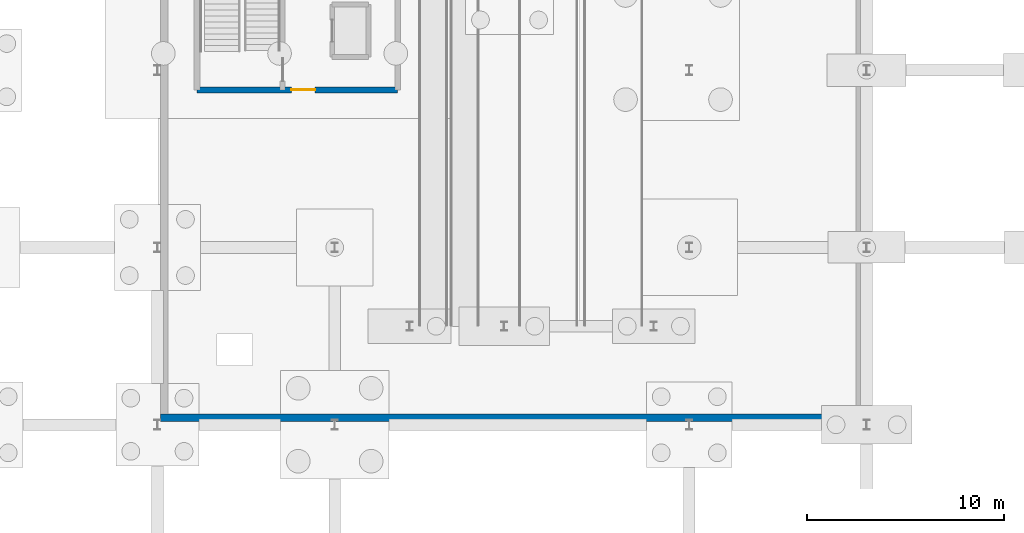
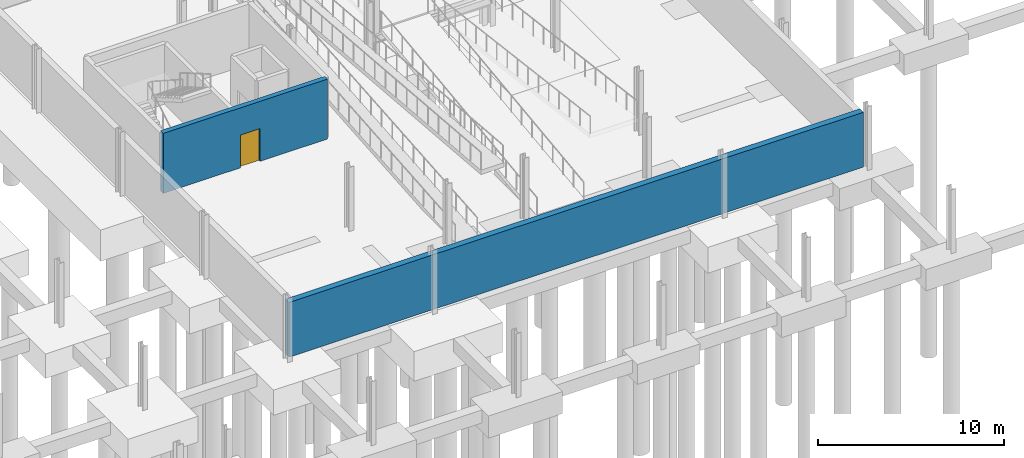
# One storey, part 33 of 42: 2 walls, 1 door, 1 opening.
"""IFC4 building model written with IfcOpenShell, lengths in metres."""

from ifc_helpers import new_model, si_unit, direction, frame, frame_2d, origin, place, context, subcontext, project, spatial, rectangle, extrude, material, layer, layer_set, type_object, element, fill, save


model = new_model("IFC4")

# Units and contexts
model_context = context("Model", 3, precision=1e-05, world=origin(), true_north=direction((0.0, 1.0)))
body_context = subcontext(model_context, "Body", "Model", "MODEL_VIEW")
ifc_project = project(units=[si_unit("LENGTHUNIT", "METRE"), si_unit("AREAUNIT", "SQUARE_METRE"), si_unit("VOLUMEUNIT", "CUBIC_METRE"), si_unit("PLANEANGLEUNIT", "RADIAN"), si_unit("MASSUNIT", "GRAM", prefix="KILO")], contexts=[model_context])

# Site, building, storey
site_placement = place(None, origin())
site = spatial("IfcSite", under=ifc_project, at=site_placement, CompositionType="ELEMENT")
building_placement = place(site_placement, origin())
building = spatial("IfcBuilding", under=site, at=building_placement, Name="Deido Ridge Mobility Hub", CompositionType="ELEMENT")
storey_placement = place(building_placement, frame((0.0, 0.0, -4.199951171875)))
storey = spatial("IfcBuildingStorey", under=building, at=storey_placement, Name="B1", CompositionType="ELEMENT", Elevation=-4.199951171875)

# Wall
ifc_material_1 = material(Name="Concrete C40/50", Category="concrete")
ifc_layer_1 = layer(ifc_material_1, 0.3798828125, Name="Concrete C40/50")
ifc_layer_set_1 = layer_set([ifc_layer_1], Name="Concrete C40/50")
wall_type_1 = type_object("IfcWallType", Name="WL-RET-RC-380", PredefinedType="USERDEFINED", material=ifc_layer_set_1)
wall_1_placement = place(storey_placement, frame((72.159912109375, 45.35009765625, 0.0), z_axis=(0.0, 0.0, 1.0), x_axis=(1.0, 0.0, 0.0)))
element("IfcWall", 1, at=wall_1_placement, inside=storey, type_object=wall_type_1, Name="Basement perimeter retaining wall", ObjectType="RETAINING WALL", PredefinedType="USERDEFINED", context=body_context, shape_type="SweptSolid", body=[
    extrude(rectangle(XDim=35.68017578125, YDim=0.3798828125, at=frame_2d((17.840087890625, 0.0))), origin(), (0.0, 0.0, 1.0), 3.599853515625),
])

# Wall, opening, door
ifc_layer_2 = layer(ifc_material_1, 0.300048828125, Name="Concrete C40/50")
ifc_layer_set_2 = layer_set([ifc_layer_2], Name="Concrete C40/50")
wall_type_2 = type_object("IfcWallType", Name="WL-SHR-RC-300", PredefinedType="SHEAR", material=ifc_layer_set_2)
wall_2_placement = place(storey_placement, frame((74.0, 62.0, 0.0), z_axis=(0.0, 0.0, 1.0), x_axis=(1.0, 0.0, 0.0)))
wall_2 = element("IfcWall", 2, at=wall_2_placement, inside=storey, type_object=wall_type_2, Name="C4 south shear wall", PredefinedType="SHEAR", context=body_context, shape_type="SweptSolid", body=[
    extrude(rectangle(XDim=10.199951171875, YDim=0.300048828125, at=frame_2d((5.10009765625, 0.0))), origin(), (0.0, 0.0, 1.0), 3.93994140625),
])
opening_placement = place(wall_2_placement, frame((4.800048828125, 0.0, 0.0)))
opening = element("IfcOpeningElement", 3, at=opening_placement, cuts=wall_2, Name="Opening LD-C4-080", PredefinedType="OPENING", context=body_context, shape_type="SweptSolid", body=[
    extrude(rectangle(XDim=1.199951171875, YDim=2.14990234375, at=frame_2d((0.60009765625, 1.074951171875))), frame((0.0, 0.16015625, 0.0), z_axis=(0.0, -1.0, 0.0), x_axis=(1.0, 0.0, 0.0)), (0.0, 0.0, 1.0), 0.320068359375),
])
ifc_material_2 = material(Name="Galvanised steel work", Category="steel")
door_type = type_object("IfcDoorType", Name="DR-FD60-1200X2150", OperationType="NOTDEFINED", PredefinedType="DOOR", material=ifc_material_2)
door_placement = place(opening_placement, origin())
door = element("IfcDoor", 4, at=door_placement, inside=storey, type_object=door_type, Name="DR-I0080 C4 lift lobby door (B1)", OperationType="SINGLE_SWING_RIGHT", OverallHeight=2.14990234375, OverallWidth=1.199951171875, PredefinedType="DOOR", context=body_context, shape_type="SweptSolid", body=[
    extrude(rectangle(XDim=1.199951171875, YDim=2.14990234375, at=frame_2d((0.60009765625, 1.074951171875))), frame((0.0, 0.02490234375, 0.0), z_axis=(0.0, -1.0, 0.0), x_axis=(1.0, 0.0, 0.0)), (0.0, 0.0, 1.0), 0.050048828125),
])
fill(opening, door)

save(model, "model.ifc")
